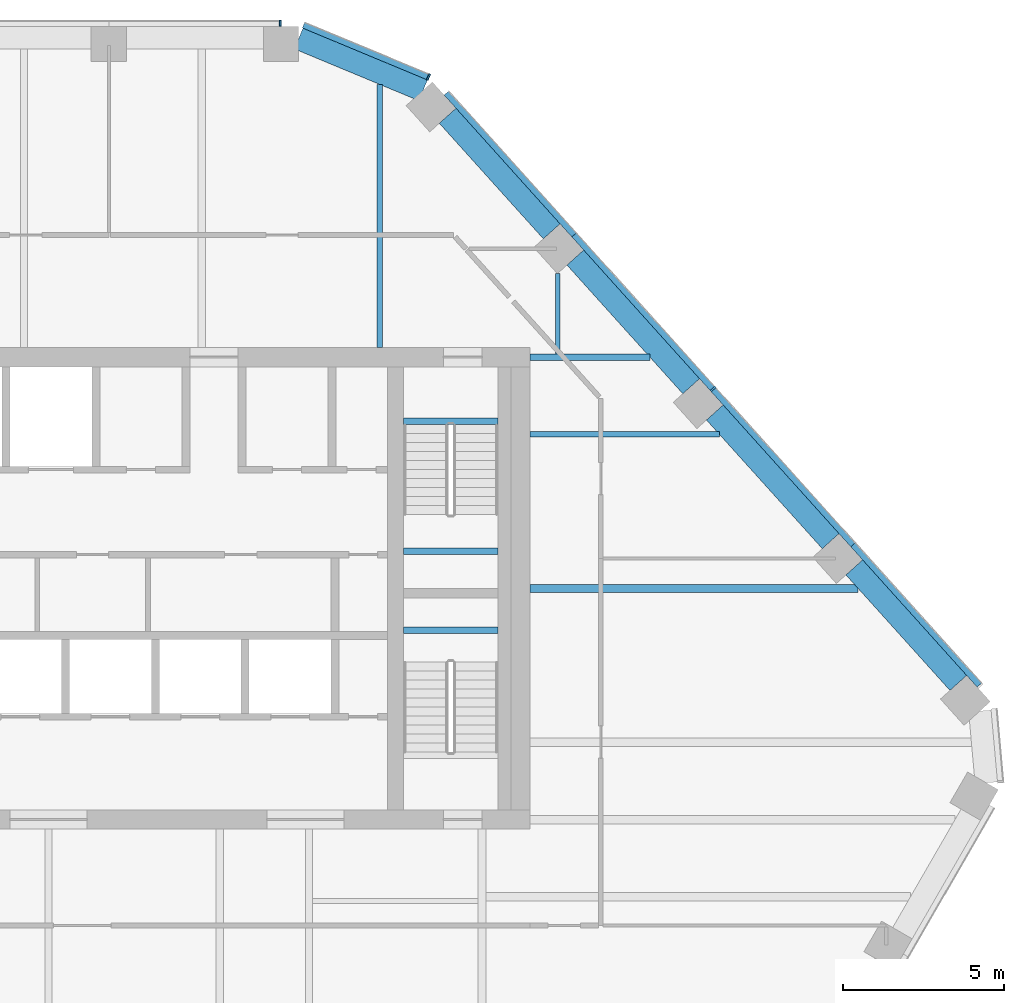
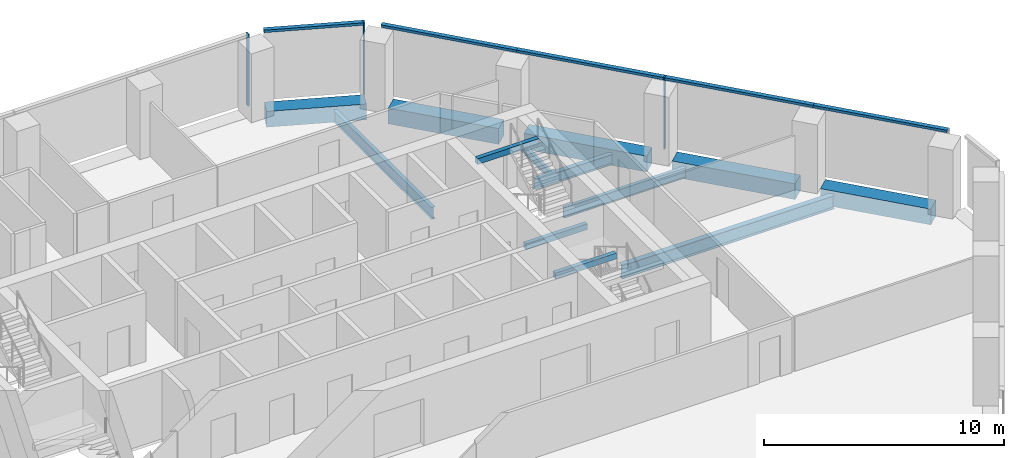
# One storey, part 7 of 15: 13 beams, 8 members, 3 elements without a shape of their own.
"""IFC4 building model written with IfcOpenShell, lengths in metres."""

from ifc_helpers import new_model, si_unit, direction, frame, origin, origin_2d, place, context, subcontext, project, spatial, rectangle, i_section, extrude, material, layer, layer_set, material_profile, profile_set, type_object, element, aggregate, save


model = new_model("IFC4")

# Units and contexts
model_context = context("Model", 3, precision=1e-05, world=origin(), true_north=direction((0.0, 1.0)))
body_context = subcontext(model_context, "Body", "Model", "MODEL_VIEW")
ifc_project = project(units=[si_unit("LENGTHUNIT", "METRE"), si_unit("AREAUNIT", "SQUARE_METRE"), si_unit("VOLUMEUNIT", "CUBIC_METRE"), si_unit("PLANEANGLEUNIT", "RADIAN"), si_unit("MASSUNIT", "GRAM", prefix="KILO")], contexts=[model_context])

# Site, building, storey
site_placement = place(None, origin())
site = spatial("IfcSite", under=ifc_project, at=site_placement, CompositionType="ELEMENT")
building_placement = place(site_placement, origin())
building = spatial("IfcBuilding", under=site, at=building_placement, Name="Isthmus Gate Tower", CompositionType="ELEMENT")
storey_placement = place(building_placement, frame((0.0, 0.0, 230.89990234375)))
storey = spatial("IfcBuildingStorey", under=building, at=storey_placement, Name="L58", CompositionType="ELEMENT", Elevation=230.89990234375)

# Curtain wall, member
ifc_material_1 = material(Name="Aluminium, pale champagne anodised", Category="aluminium")
ifc_layer = layer(ifc_material_1, 0.199951171875)
ifc_layer_set = layer_set([ifc_layer], Name="CW-1 UNITISED CURTAIN WALL 200 DEEP")
curtain_wall_type = type_object("IfcCurtainWallType", Name="CW-1 UNITISED CURTAIN WALL 200 DEEP", PredefinedType="NOTDEFINED", material=ifc_layer_set)
curtain_wall_1_placement = place(storey_placement, origin())
curtain_wall_1 = element("IfcCurtainWall", 1, at=curtain_wall_1_placement, inside=storey, type_object=curtain_wall_type, Name="CW-1 N L58", PredefinedType="NOTDEFINED")
ifc_material_2 = material(Name="Aluminium, pale champagne anodised", Category="aluminium")
ifc_material_profile_1 = material_profile(ifc_material_2, rectangle(XDim=0.06005859375, YDim=0.199951171875, at=origin_2d()), Name="60x200")
ifc_profile_set_1 = profile_set([ifc_material_profile_1], Name="Aluminium, pale champagne anodised")
member_type_1 = type_object("IfcMemberType", Name="CW-1 MULLION 60 X 200", PredefinedType="MULLION", material=ifc_profile_set_1)
member_1_placement = place(storey_placement, frame((7.211181640625, 25.10009765625, 0.0), z_axis=(0.0, 0.0, 1.0), x_axis=(-1.0, 0.0, 0.0)))
member_1 = element("IfcMember", 2, at=member_1_placement, type_object=member_type_1, Name="CW-1 mullion", PredefinedType="MULLION", context=body_context, shape_type="SweptSolid", body=[
    extrude(rectangle(XDim=0.06005859375, YDim=0.199951171875, at=origin_2d()), origin(), (0.0, 0.0, 1.0), 3.650146484375),
])
aggregate(curtain_wall_1, [member_1])

curtain_wall_2_placement = place(storey_placement, origin())
curtain_wall_2 = element("IfcCurtainWall", 3, at=curtain_wall_2_placement, inside=storey, type_object=curtain_wall_type, Name="CW-1 NE L58", PredefinedType="NOTDEFINED")
member_2_placement = place(storey_placement, frame((20.696533203125, 13.709228515625, 0.0), z_axis=(0.0, 0.0, 1.0), x_axis=(-0.669130606359, 0.743144825477, 0.0)))
member_2 = element("IfcMember", 4, at=member_2_placement, type_object=member_type_1, Name="CW-1 mullion", PredefinedType="MULLION", context=body_context, shape_type="SweptSolid", body=[
    extrude(rectangle(XDim=0.06005859375, YDim=0.199951171875, at=origin_2d()), origin(), (0.0, 0.0, 1.0), 3.650146484375),
])

curtain_wall_3_placement = place(storey_placement, origin())
curtain_wall_3 = element("IfcCurtainWall", 5, at=curtain_wall_3_placement, inside=storey, type_object=curtain_wall_type, Name="CW-1 NE-N L58", PredefinedType="NOTDEFINED")
member_3_placement = place(storey_placement, frame((11.83349609375, 23.427490234375, 0.0), z_axis=(0.0, 0.0, 1.0), x_axis=(-0.923353128387, 0.383951820282, 0.0)))
member_3 = element("IfcMember", 6, at=member_3_placement, type_object=member_type_1, Name="CW-1 mullion", PredefinedType="MULLION", context=body_context, shape_type="SweptSolid", body=[
    extrude(rectangle(XDim=0.06005859375, YDim=0.199951171875, at=origin_2d()), origin(), (0.0, 0.0, 1.0), 3.650146484375),
])

# Member
ifc_material_3 = material(Name="Aluminium, pale champagne anodised", Category="aluminium")
ifc_material_profile_2 = material_profile(ifc_material_3, rectangle(XDim=0.199951171875, YDim=0.1298828125, at=origin_2d()), Name="200x130")
ifc_profile_set_2 = profile_set([ifc_material_profile_2], Name="Aluminium, pale champagne anodised")
member_type_2 = type_object("IfcMemberType", Name="CW-1 TRANSOM 200 X 130", PredefinedType="USERDEFINED", material=ifc_profile_set_2)
member_4_placement = place(storey_placement, frame((28.99609375, 4.491455078125, 3.585205078125), z_axis=(-0.669134411332, 0.743141399447, 0.0), x_axis=(-0.743141399447, -0.669134411332, 0.0)))
member_4 = element("IfcMember", 7, at=member_4_placement, type_object=member_type_2, Name="CW-1 transom", ObjectType="TRANSOM", PredefinedType="USERDEFINED", context=body_context, shape_type="SweptSolid", body=[
    extrude(rectangle(XDim=0.199951171875, YDim=0.1298828125, at=origin_2d()), origin(), (0.0, 0.0, 1.0), 5.8818359375),
])

member_5_placement = place(storey_placement, frame((25.060302734375, 8.862548828125, 3.585205078125), z_axis=(-0.669112239491, 0.743161362668, 0.0), x_axis=(-0.743161362668, -0.669112239491, 0.0)))
member_5 = element("IfcMember", 8, at=member_5_placement, type_object=member_type_2, Name="CW-1 transom", ObjectType="TRANSOM", PredefinedType="USERDEFINED", context=body_context, shape_type="SweptSolid", body=[
    extrude(rectangle(XDim=0.199951171875, YDim=0.1298828125, at=origin_2d()), origin(), (0.0, 0.0, 1.0), 6.49169921875),
])

member_6_placement = place(storey_placement, frame((20.67626953125, 13.7314453125, 3.585205078125), z_axis=(-0.669128292476, 0.7431469089, 0.0), x_axis=(-0.7431469089, -0.669128292476, 0.0)))
member_6 = element("IfcMember", 9, at=member_6_placement, type_object=member_type_2, Name="CW-1 transom", ObjectType="TRANSOM", PredefinedType="USERDEFINED", context=body_context, shape_type="SweptSolid", body=[
    extrude(rectangle(XDim=0.199951171875, YDim=0.1298828125, at=origin_2d()), origin(), (0.0, 0.0, 1.0), 6.431884765625),
])

member_7_placement = place(storey_placement, frame((16.37255859375, 18.51123046875, 3.585205078125), z_axis=(-0.669116811031, 0.743157246615, 0.0), x_axis=(-0.743157246615, -0.669116811031, 0.0)))
member_7 = element("IfcMember", 10, at=member_7_placement, type_object=member_type_2, Name="CW-1 transom", ObjectType="TRANSOM", PredefinedType="USERDEFINED", context=body_context, shape_type="SweptSolid", body=[
    extrude(rectangle(XDim=0.199951171875, YDim=0.1298828125, at=origin_2d()), origin(), (0.0, 0.0, 1.0), 5.94189453125),
])

aggregate(curtain_wall_2, [member_4, member_5, member_2, member_6, member_7])

member_8_placement = place(storey_placement, frame((11.8056640625, 23.43896484375, 3.585205078125), z_axis=(-0.923358236369, 0.383939536033, 0.0), x_axis=(-0.383939536033, -0.923358236369, 0.0)))
member_8 = element("IfcMember", 11, at=member_8_placement, type_object=member_type_2, Name="CW-1 transom", ObjectType="TRANSOM", PredefinedType="USERDEFINED", context=body_context, shape_type="SweptSolid", body=[
    extrude(rectangle(XDim=0.199951171875, YDim=0.1298828125, at=origin_2d()), origin(), (0.0, 0.0, 1.0), 4.181640625),
])

aggregate(curtain_wall_3, [member_3, member_8])

# Beams
ifc_material_4 = material(Name="Concrete f'c 50 MPa", Category="concrete")
ifc_material_profile_3 = material_profile(ifc_material_4, rectangle(XDim=0.699951171875, YDim=0.800048828125, at=origin_2d()), Name="RC 700X800")
ifc_profile_set_3 = profile_set([ifc_material_profile_3], Name="Concrete f'c 50 MPa")
beam_type_1 = type_object("IfcBeamType", Name="RC SPANDREL 700 X 800", PredefinedType="SPANDREL", material=ifc_profile_set_3)
beam_1_placement = place(storey_placement, frame((7.791015625, 24.620849609375, -0.39990234375), z_axis=(0.923360646135, -0.383933740597, 0.0), x_axis=(0.383933740597, 0.923360646135, 0.0)))
element("IfcBeam", 12, at=beam_1_placement, inside=storey, type_object=beam_type_1, Name="str-spandrel-L58-00", PredefinedType="SPANDREL", context=body_context, shape_type="SweptSolid", body=[
    extrude(rectangle(XDim=0.699951171875, YDim=0.800048828125, at=origin_2d()), origin(), (0.0, 0.0, 1.0), 4.19677734375),
])
beam_2_placement = place(storey_placement, frame((12.43017578125, 22.21728515625, -0.39990234375), z_axis=(0.669129069044, -0.743146209679, 0.0), x_axis=(0.743146209679, 0.669129069044, 0.0)))
element("IfcBeam", 13, at=beam_2_placement, inside=storey, type_object=beam_type_1, Name="str-spandrel-L58-01", PredefinedType="SPANDREL", context=body_context, shape_type="SweptSolid", body=[
    extrude(rectangle(XDim=0.699951171875, YDim=0.800048828125, at=origin_2d()), origin(), (0.0, 0.0, 1.0), 4.842041015625),
])
beam_3_placement = place(storey_placement, frame((16.40625, 17.801513671875, -0.39990234375), z_axis=(0.669122314994, -0.743152290972, 0.0), x_axis=(0.743152290972, 0.669122314994, 0.0)))
element("IfcBeam", 14, at=beam_3_placement, inside=storey, type_object=beam_type_1, Name="str-spandrel-L58-02", PredefinedType="SPANDREL", context=body_context, shape_type="SweptSolid", body=[
    extrude(rectangle(XDim=0.699951171875, YDim=0.800048828125, at=origin_2d()), origin(), (0.0, 0.0, 1.0), 5.39208984375),
])
beam_4_placement = place(storey_placement, frame((20.75, 12.97705078125, -0.39990234375), z_axis=(0.669144830508, -0.743132017749, 0.0), x_axis=(0.743132017749, 0.669144830508, 0.0)))
element("IfcBeam", 15, at=beam_4_placement, inside=storey, type_object=beam_type_1, Name="str-spandrel-L58-03", PredefinedType="SPANDREL", context=body_context, shape_type="SweptSolid", body=[
    extrude(rectangle(XDim=0.699951171875, YDim=0.800048828125, at=origin_2d()), origin(), (0.0, 0.0, 1.0), 5.391845703125),
])
beam_5_placement = place(storey_placement, frame((25.093994140625, 8.152587890625, -0.39990234375), z_axis=(0.669154141686, -0.743123633499, 0.0), x_axis=(0.743123633499, 0.669154141686, 0.0)))
element("IfcBeam", 16, at=beam_5_placement, inside=storey, type_object=beam_type_1, Name="str-spandrel-L58-04", PredefinedType="SPANDREL", context=body_context, shape_type="SweptSolid", body=[
    extrude(rectangle(XDim=0.699951171875, YDim=0.800048828125, at=origin_2d()), origin(), (0.0, 0.0, 1.0), 4.842041015625),
])
ifc_material_5 = material(Name="Concrete f'c 40 MPa", Category="concrete")
ifc_material_profile_4 = material_profile(ifc_material_5, rectangle(XDim=0.199951171875, YDim=0.300048828125, at=origin_2d()), Name="STAIR LANDING BEAM RC 200 X 300")
ifc_profile_set_4 = profile_set([ifc_material_profile_4], Name="Concrete f'c 40 MPa")
beam_type_2 = type_object("IfcBeamType", Name="STAIR LANDING BEAM RC 200 X 300", PredefinedType="BEAM", material=ifc_profile_set_4)
for number, where, z_axis, x_axis, name in (
    (17, (11.050048828125, 8.64990234375, 1.47509765625), (1.0, 0.0, 0.0), (0.0, 1.0, 0.0), "L58 ST2 landing beam 1"),
    (18, (11.050048828125, 12.7001953125, 3.35009765625), (1.0, 0.0, 0.0), (0.0, 1.0, 0.0), "L58 ST2 floor-edge seat beam"),
    (19, (11.050048828125, 6.199951171875, 1.47509765625), (1.0, 0.0, 0.0), (0.0, 1.0, 0.0), "L58 ST8 landing beam 1"),
):
    element("IfcBeam", number, at=place(storey_placement, frame(where, z_axis=z_axis, x_axis=x_axis)), inside=storey, type_object=beam_type_2, Name=name, PredefinedType="BEAM", context=body_context, shape_type="SweptSolid", body=[
        extrude(rectangle(XDim=0.199951171875, YDim=0.300048828125, at=origin_2d()), origin(), (0.0, 0.0, 1.0), 2.949951171875),
    ])
ifc_material_6 = material(Name="Structural steel ASTM A992 Gr 50", Category="steel")
ifc_material_profile_5 = material_profile(ifc_material_6, i_section(OverallWidth=0.1396484375, OverallDepth=0.4033203125, WebThickness=0.00634765625, FlangeThickness=0.010986328125, at=origin_2d()), Name="W16X31")
ifc_profile_set_5 = profile_set([ifc_material_profile_5], Name="Structural steel ASTM A992 Gr 50")
beam_type_3 = type_object("IfcBeamType", Name="STEEL FLOOR BEAM W16X31", PredefinedType="JOIST", material=ifc_profile_set_5)
beam_6_placement = place(storey_placement, frame((15.862060546875, 14.8046875, -0.3515625), z_axis=(0.0, 1.0, 0.0), x_axis=(-1.0, 0.0, 0.0)))
element("IfcBeam", 20, at=beam_6_placement, inside=storey, type_object=beam_type_3, Name="str-beam-L58-05-06", PredefinedType="JOIST", context=body_context, shape_type="SweptSolid", body=[
    extrude(i_section(OverallWidth=0.1396484375, OverallDepth=0.4033203125, WebThickness=0.00634765625, FlangeThickness=0.010986328125, at=origin_2d()), origin(), (0.0, 0.0, 1.0), 2.5068359375),
])
ifc_material_7 = material(Name="Structural steel ASTM A992 Gr 50", Category="steel")
ifc_material_profile_6 = material_profile(ifc_material_7, i_section(OverallWidth=0.1650390625, OverallDepth=0.52392578125, WebThickness=0.009521484375, FlangeThickness=0.010986328125, at=origin_2d()), Name="W21X44")
ifc_profile_set_6 = profile_set([ifc_material_profile_6], Name="Structural steel ASTM A992 Gr 50")
beam_type_4 = type_object("IfcBeamType", Name="STEEL FLOOR BEAM W21X44", PredefinedType="JOIST", material=ifc_profile_set_6)
beam_7_placement = place(storey_placement, frame((15.0, 12.300048828125, -0.411865234375), z_axis=(1.0, 0.0, 0.0), x_axis=(0.0, 1.0, 0.0)))
element("IfcBeam", 21, at=beam_7_placement, inside=storey, type_object=beam_type_4, Name="str-beam-L58-13-02", PredefinedType="JOIST", context=body_context, shape_type="SweptSolid", body=[
    extrude(i_section(OverallWidth=0.1650390625, OverallDepth=0.52392578125, WebThickness=0.009521484375, FlangeThickness=0.010986328125, at=origin_2d()), origin(), (0.0, 0.0, 1.0), 5.888671875),
])
ifc_material_8 = material(Name="Structural steel ASTM A992 Gr 50", Category="steel")
ifc_material_profile_7 = material_profile(ifc_material_8, i_section(OverallWidth=0.177734375, OverallDepth=0.60009765625, WebThickness=0.009521484375, FlangeThickness=0.0126953125, at=origin_2d()), Name="W24X55")
ifc_profile_set_7 = profile_set([ifc_material_profile_7], Name="Structural steel ASTM A992 Gr 50")
beam_type_5 = type_object("IfcBeamType", Name="STEEL FLOOR BEAM W24X55", PredefinedType="JOIST", material=ifc_profile_set_7)
beam_8_placement = place(storey_placement, frame((10.3193359375, 15.0, -0.449951171875), z_axis=(0.0, 1.0, 0.0), x_axis=(-1.0, 0.0, 0.0)))
element("IfcBeam", 22, at=beam_8_placement, inside=storey, type_object=beam_type_5, Name="str-beam-L58-05-05", PredefinedType="JOIST", context=body_context, shape_type="SweptSolid", body=[
    extrude(i_section(OverallWidth=0.177734375, OverallDepth=0.60009765625, WebThickness=0.009521484375, FlangeThickness=0.0126953125, at=origin_2d()), origin(), (0.0, 0.0, 1.0), 8.190673828125),
])
ifc_material_9 = material(Name="Structural steel ASTM A992 Gr 50", Category="steel")
ifc_material_profile_8 = material_profile(ifc_material_9, i_section(OverallWidth=0.25390625, OverallDepth=0.679443359375, WebThickness=0.010986328125, FlangeThickness=0.015869140625, at=origin_2d()), Name="W27X84")
ifc_profile_set_8 = profile_set([ifc_material_profile_8], Name="Structural steel ASTM A992 Gr 50")
beam_type_6 = type_object("IfcBeamType", Name="STEEL FLOOR BEAM W27X84", PredefinedType="JOIST", material=ifc_profile_set_8)
beam_9_placement = place(storey_placement, frame((15.0, 7.5, -0.489501953125), z_axis=(1.0, 0.0, 0.0), x_axis=(0.0, 1.0, 0.0)))
element("IfcBeam", 23, at=beam_9_placement, inside=storey, type_object=beam_type_6, Name="str-beam-L58-13-01", PredefinedType="JOIST", context=body_context, shape_type="SweptSolid", body=[
    extrude(i_section(OverallWidth=0.25390625, OverallDepth=0.679443359375, WebThickness=0.010986328125, FlangeThickness=0.015869140625, at=origin_2d()), origin(), (0.0, 0.0, 1.0), 10.210693359375),
])
ifc_material_10 = material(Name="Structural steel ASTM A992 Gr 50", Category="steel")
ifc_material_profile_9 = material_profile(ifc_material_10, i_section(OverallWidth=0.20947265625, OverallDepth=0.533447265625, WebThickness=0.009521484375, FlangeThickness=0.015869140625, at=origin_2d()), Name="W21X62")
ifc_profile_set_9 = profile_set([ifc_material_profile_9], Name="Structural steel ASTM A992 Gr 50")
beam_type_7 = type_object("IfcBeamType", Name="STEEL GIRDER W21X62", PredefinedType="BEAM", material=ifc_profile_set_9)
beam_10_placement = place(storey_placement, frame((15.0, 14.699951171875, -0.41650390625), z_axis=(1.0, 0.0, 0.0), x_axis=(0.0, 1.0, 0.0)))
element("IfcBeam", 24, at=beam_10_placement, inside=storey, type_object=beam_type_7, Name="str-girder-L58-12", PredefinedType="BEAM", context=body_context, shape_type="SweptSolid", body=[
    extrude(i_section(OverallWidth=0.20947265625, OverallDepth=0.533447265625, WebThickness=0.009521484375, FlangeThickness=0.015869140625, at=origin_2d()), origin(), (0.0, 0.0, 1.0), 3.727783203125),
])

save(model, "model.ifc")
